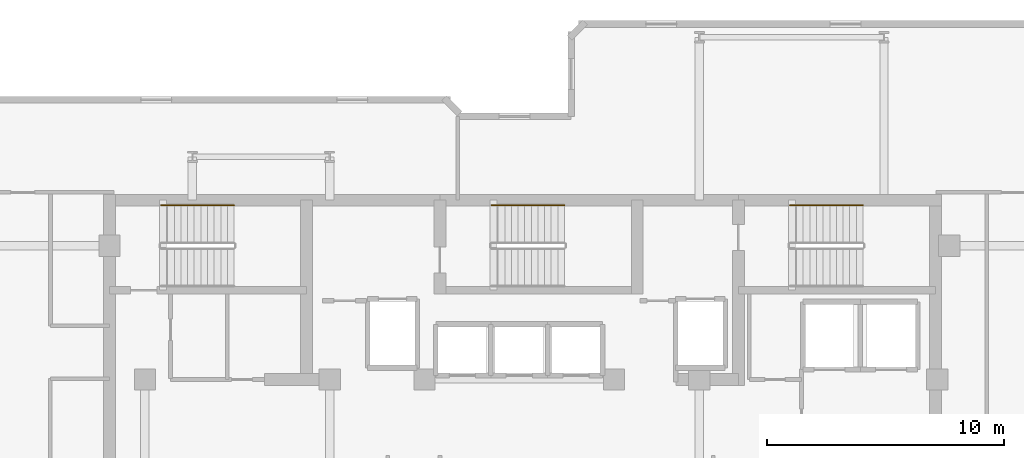
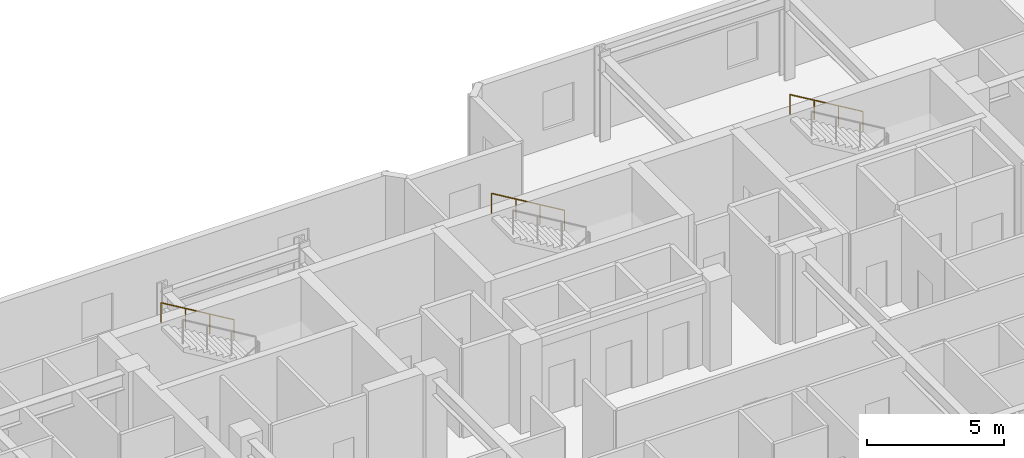
# One storey, part 11 of 11: 3 railings.
"""IFC4 building model written with IfcOpenShell, lengths in metres."""

from ifc_helpers import new_model, si_unit, direction, frame, origin, origin_2d, place, context, subcontext, project, spatial, circle, extrude, material, type_object, element, save


model = new_model("IFC4")

# Units and contexts
model_context = context("Model", 3, precision=1e-05, world=origin(), true_north=direction((0.0, 1.0)))
body_context = subcontext(model_context, "Body", "Model", "MODEL_VIEW")
ifc_project = project(units=[si_unit("LENGTHUNIT", "METRE"), si_unit("AREAUNIT", "SQUARE_METRE"), si_unit("VOLUMEUNIT", "CUBIC_METRE"), si_unit("PLANEANGLEUNIT", "RADIAN"), si_unit("MASSUNIT", "GRAM", prefix="KILO")], contexts=[model_context])

# Site, building, storey
site_placement = place(None, origin())
site = spatial("IfcSite", under=ifc_project, at=site_placement, CompositionType="ELEMENT")
building_placement = place(site_placement, origin())
building = spatial("IfcBuilding", under=site, at=building_placement, Name="Kestravale Grand Hotel", CompositionType="ELEMENT")
storey_placement = place(building_placement, frame((0.0, 0.0, 249.39990234375)))
storey = spatial("IfcBuildingStorey", under=building, at=storey_placement, Name="L62", CompositionType="ELEMENT", Elevation=249.39990234375)

# Railings
ifc_material = material(Name="Brushed stainless steel wall handrail", Category="steel")
railing_type = type_object("IfcRailingType", Name="RL-ST-HND900", PredefinedType="HANDRAIL", material=ifc_material)
railing_placement = place(storey_placement, frame((27.159912109375, 40.110107421875, 2.166748046875)))
element("IfcRailing", 1, at=railing_placement, inside=storey, type_object=railing_type, Name="L62 ST-1 stair handrail 2", PredefinedType="HANDRAIL", context=body_context, shape_type="SweptSolid", body=[
    extrude(circle(Radius=0.02392578125, at=origin_2d()), frame((0.0, 0.0, 0.8759765625), z_axis=(-0.859290745958, 0.0, 0.51148745235), x_axis=(0.0, -1.0, 0.0)), (0.0, 0.0, 1.0), 3.584228515625),
    extrude(circle(Radius=0.02099609375, at=origin_2d()), origin(), (0.0, 0.0, 1.0), 0.851806640625),
    extrude(circle(Radius=0.02099609375, at=origin_2d()), frame((-1.026611328125, 0.0, 0.611083984375)), (0.0, 0.0, 1.0), 0.851806640625),
    extrude(circle(Radius=0.02099609375, at=origin_2d()), frame((-2.05322265625, 0.0, 1.22216796875)), (0.0, 0.0, 1.0), 0.851806640625),
    extrude(circle(Radius=0.02099609375, at=origin_2d()), frame((-3.079833984375, 0.0, 1.833251953125)), (0.0, 0.0, 1.0), 0.851806640625),
])
for number, where, name in (
    (2, (41.110107421875, 40.110107421875, 2.166748046875), "L62 ST-2 stair handrail 2"),
    (3, (53.7099609375, 40.110107421875, 2.166748046875), "L62 ST-3 stair handrail 2"),
):
    element("IfcRailing", number, at=place(storey_placement, frame(where)), inside=storey, type_object=railing_type, Name=name, PredefinedType="HANDRAIL", context=body_context, shape_type="SweptSolid", body=[
        extrude(circle(Radius=0.02392578125, at=origin_2d()), frame((0.0, 0.0, 0.8759765625), z_axis=(-0.859308565015, 0.0, 0.511457515432), x_axis=(0.0, -1.0, 0.0)), (0.0, 0.0, 1.0), 3.58447265625),
        extrude(circle(Radius=0.02099609375, at=origin_2d()), origin(), (0.0, 0.0, 1.0), 0.851806640625),
        extrude(circle(Radius=0.02099609375, at=origin_2d()), frame((-1.026611328125, 0.0, 0.611083984375)), (0.0, 0.0, 1.0), 0.851806640625),
        extrude(circle(Radius=0.02099609375, at=origin_2d()), frame((-2.053466796875, 0.0, 1.22216796875)), (0.0, 0.0, 1.0), 0.851806640625),
        extrude(circle(Radius=0.02099609375, at=origin_2d()), frame((-3.080078125, 0.0, 1.833251953125)), (0.0, 0.0, 1.0), 0.851806640625),
    ])

save(model, "model.ifc")
